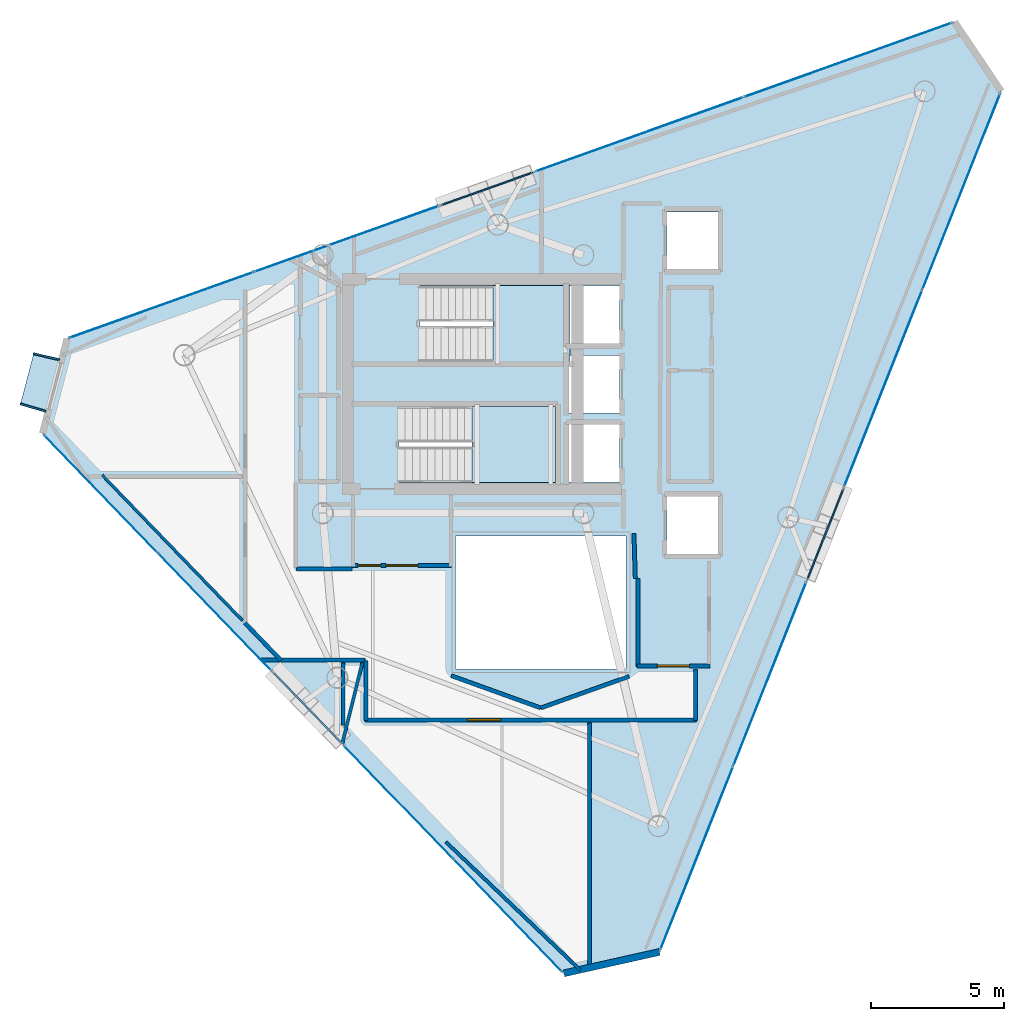
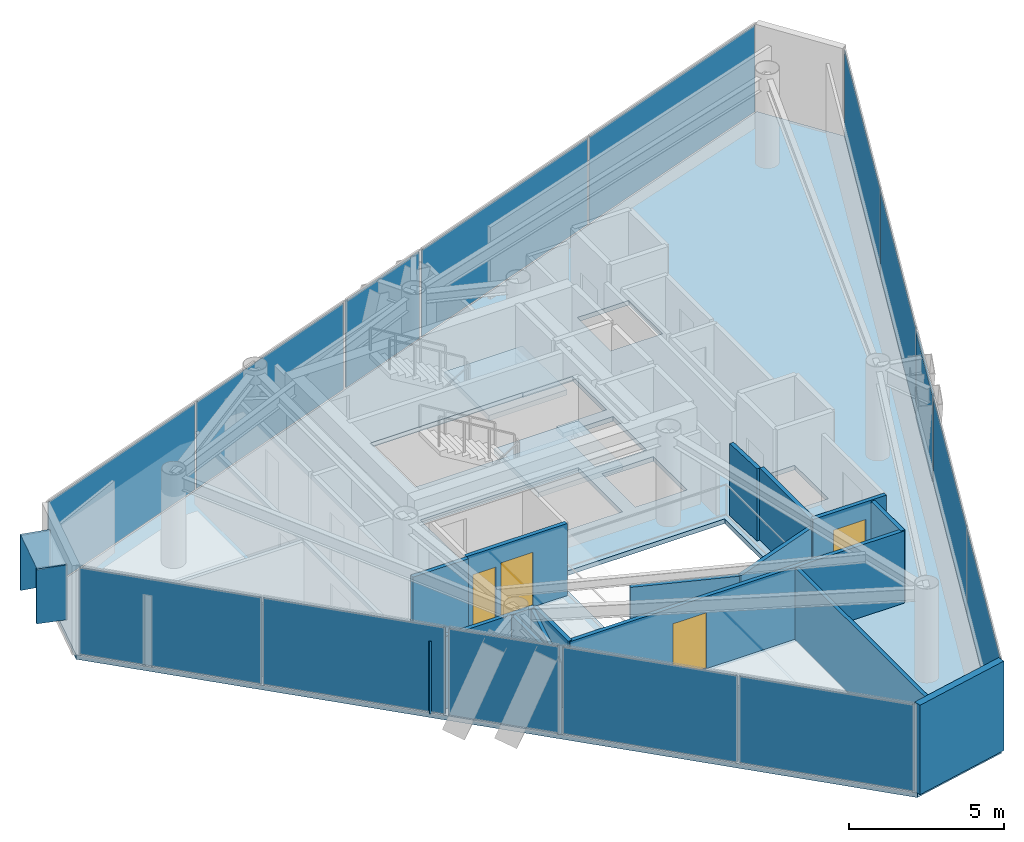
# One storey, part 15 of 18: 18 plates, 18 walls, 4 doors, 3 slabs, 4 openings, 11 elements without a shape of their own.
"""IFC4 building model written with IfcOpenShell, lengths in metres."""

from ifc_helpers import new_model, si_unit, direction, frame, frame_2d, origin, origin_2d, place, context, subcontext, project, spatial, polyline, rectangle, outline, extrude, material, layer, layer_set, type_object, element, fill, aggregate, save


model = new_model("IFC4")

# Units and contexts
model_context = context("Model", 3, precision=1e-05, world=origin(), true_north=direction((0.0, 1.0)))
body_context = subcontext(model_context, "Body", "Model", "MODEL_VIEW")
ifc_project = project(units=[si_unit("LENGTHUNIT", "METRE"), si_unit("AREAUNIT", "SQUARE_METRE"), si_unit("VOLUMEUNIT", "CUBIC_METRE"), si_unit("PLANEANGLEUNIT", "RADIAN"), si_unit("MASSUNIT", "GRAM", prefix="KILO")], contexts=[model_context])

# Site, building, storey
site_placement = place(None, origin())
site = spatial("IfcSite", under=ifc_project, at=site_placement, CompositionType="ELEMENT")
building_placement = place(site_placement, origin())
building = spatial("IfcBuilding", under=site, at=building_placement, Name="Qianvela Tower", CompositionType="ELEMENT")
storey_placement = place(building_placement, frame((0.0, 0.0, 337.0)))
storey = spatial("IfcBuildingStorey", under=building, at=storey_placement, Name="L87", CompositionType="ELEMENT", Elevation=337.0)

# Curtain wall, plate
ifc_material_1 = material(Name="Anodised Architectural Aluminium and Insulated Spandrel Panel", Category="aluminium")
ifc_layer_1 = layer(ifc_material_1, 0.179931640625)
ifc_layer_set_1 = layer_set([ifc_layer_1], Name="Anodised Architectural Aluminium and Insulated Spandrel Panel")
curtain_wall_type_1 = type_object("IfcCurtainWallType", Name="CW-BRACEBAY", PredefinedType="USERDEFINED", material=ifc_layer_set_1)
curtain_wall_1_placement = place(storey_placement, origin())
curtain_wall_1 = element("IfcCurtainWall", 1, at=curtain_wall_1_placement, inside=storey, type_object=curtain_wall_type_1, Name="L87 CW-BRACEBAY Curtain Wall 02B", ObjectType="CURTAIN_WALL_SYSTEM", PredefinedType="USERDEFINED")
ifc_material_2 = material(Name="Insulated Aluminium Spandrel Panel with Mineral-Wool Backpan", Category="aluminium")
ifc_layer_2 = layer(ifc_material_2, 0.06005859375)
ifc_layer_set_2 = layer_set([ifc_layer_2], Name="Insulated Aluminium Spandrel Panel with Mineral-Wool Backpan")
plate_type_1 = type_object("IfcPlateType", Name="CW-BRACEBAY-PNL", PredefinedType="CURTAIN_PANEL", material=ifc_layer_set_2)
plate_1_placement = place(storey_placement, frame((34.7734375, 36.041015625, 0.06494140625), z_axis=(0.0, 0.0, 1.0), x_axis=(-0.941783203537, -0.336220757147, 0.0)))
plate_1 = element("IfcPlate", 2, at=plate_1_placement, type_object=plate_type_1, Name="CW-9 panel 1.1", PredefinedType="CURTAIN_PANEL", context=body_context, shape_type="SweptSolid", body=[
    extrude(rectangle(XDim=3.64990234375, YDim=0.06005859375, at=origin_2d()), origin(), (0.0, 0.0, 1.0), 3.389892578125),
])
aggregate(curtain_wall_1, [plate_1])

curtain_wall_2_placement = place(storey_placement, origin())
curtain_wall_2 = element("IfcCurtainWall", 3, at=curtain_wall_2_placement, inside=storey, type_object=curtain_wall_type_1, Name="L87 CW-BRACEBAY Curtain Wall 04B", ObjectType="CURTAIN_WALL_SYSTEM", PredefinedType="USERDEFINED")
plate_2_placement = place(storey_placement, frame((28.04052734375, 16.52099609375, 0.06494140625), z_axis=(0.0, 0.0, 1.0), x_axis=(0.694662539234, -0.719335774576, 0.0)))
plate_2 = element("IfcPlate", 4, at=plate_2_placement, type_object=plate_type_1, Name="CW-9 panel 1.1", PredefinedType="CURTAIN_PANEL", context=body_context, shape_type="SweptSolid", body=[
    extrude(rectangle(XDim=3.699951171875, YDim=0.06005859375, at=origin_2d()), origin(), (0.0, 0.0, 1.0), 3.389892578125),
])
aggregate(curtain_wall_2, [plate_2])

curtain_wall_3_placement = place(storey_placement, origin())
curtain_wall_3 = element("IfcCurtainWall", 5, at=curtain_wall_3_placement, inside=storey, type_object=curtain_wall_type_1, Name="L87 CW-BRACEBAY Curtain Wall 06B", ObjectType="CURTAIN_WALL_SYSTEM", PredefinedType="USERDEFINED")
plate_3_placement = place(storey_placement, frame((47.49267578125, 23.058349609375, 0.06494140625), z_axis=(0.0, 0.0, 1.0), x_axis=(0.368891834708, 0.929472331103, 0.0)))
plate_3 = element("IfcPlate", 6, at=plate_3_placement, type_object=plate_type_1, Name="CW-9 panel 1.1", PredefinedType="CURTAIN_PANEL", context=body_context, shape_type="SweptSolid", body=[
    extrude(rectangle(XDim=3.659912109375, YDim=0.06005859375, at=origin_2d()), origin(), (0.0, 0.0, 1.0), 3.389892578125),
])
aggregate(curtain_wall_3, [plate_3])

# Curtain wall, plates
ifc_material_3 = material(Name="Anodised Architectural Aluminium and Low-E Glass", Category="aluminium")
ifc_layer_3 = layer(ifc_material_3, 0.14990234375)
ifc_layer_set_3 = layer_set([ifc_layer_3], Name="Anodised Architectural Aluminium and Low-E Glass")
curtain_wall_type_2 = type_object("IfcCurtainWallType", Name="CW-COLIV-Z78", PredefinedType="USERDEFINED", material=ifc_layer_set_3)
curtain_wall_4_placement = place(storey_placement, origin())
curtain_wall_4 = element("IfcCurtainWall", 7, at=curtain_wall_4_placement, inside=storey, type_object=curtain_wall_type_2, Name="L87 CW-COLIV-Z78 Curtain Wall 02A", ObjectType="CURTAIN_WALL_SYSTEM", PredefinedType="USERDEFINED")
ifc_material_4 = material(Name="Double-Silver Low-E Insulated Glass", Category="glass")
ifc_layer_4 = layer(ifc_material_4, 0.02587890625)
ifc_layer_set_4 = layer_set([ifc_layer_4], Name="Double-Silver Low-E Insulated Glass")
plate_type_2 = type_object("IfcPlateType", Name="CW-COLIV-Z78-PNL", PredefinedType="CURTAIN_PANEL", material=ifc_layer_set_4)
plate_4_placement = place(storey_placement, frame((48.34912109375, 40.8876953125, 0.06005859375), z_axis=(0.0, 0.0, 1.0), x_axis=(-0.941781416634, -0.336225762374, 0.0)))
plate_4 = element("IfcPlate", 8, at=plate_4_placement, type_object=plate_type_2, Name="CW-6 panel 1.1", PredefinedType="CURTAIN_PANEL", context=body_context, shape_type="SweptSolid", body=[
    extrude(rectangle(XDim=8.27001953125, YDim=0.02587890625, at=origin_2d()), origin(), (0.0, 0.0, 1.0), 3.39990234375),
])
plate_5_placement = place(storey_placement, frame((40.504150390625, 38.0869140625, 0.06005859375), z_axis=(0.0, 0.0, 1.0), x_axis=(-0.941781416634, -0.336225762374, 0.0)))
plate_5 = element("IfcPlate", 9, at=plate_5_placement, type_object=plate_type_2, Name="CW-6 panel 2.1", PredefinedType="CURTAIN_PANEL", context=body_context, shape_type="SweptSolid", body=[
    extrude(rectangle(XDim=8.27001953125, YDim=0.02587890625, at=origin_2d()), origin(), (0.0, 0.0, 1.0), 3.39990234375),
])
aggregate(curtain_wall_4, [plate_4, plate_5])

curtain_wall_5_placement = place(storey_placement, origin())
curtain_wall_5 = element("IfcCurtainWall", 10, at=curtain_wall_5_placement, inside=storey, type_object=curtain_wall_type_2, Name="L87 CW-COLIV-Z78 Curtain Wall 02C", ObjectType="CURTAIN_WALL_SYSTEM", PredefinedType="USERDEFINED")
plate_6_placement = place(storey_placement, frame((29.4921875, 34.155517578125, 0.06005859375), z_axis=(0.0, 0.0, 1.0), x_axis=(-0.941780093284, -0.336229469105, 0.0)))
plate_6 = element("IfcPlate", 11, at=plate_6_placement, type_object=plate_type_2, Name="CW-6 panel 1.1", PredefinedType="CURTAIN_PANEL", context=body_context, shape_type="SweptSolid", body=[
    extrude(rectangle(XDim=7.315673828125, YDim=0.02587890625, at=origin_2d()), origin(), (0.0, 0.0, 1.0), 3.39990234375),
])
plate_7_placement = place(storey_placement, frame((22.5458984375, 31.675537109375, 0.06005859375), z_axis=(0.0, 0.0, 1.0), x_axis=(-0.941780093284, -0.336229469105, 0.0)))
plate_7 = element("IfcPlate", 12, at=plate_7_placement, type_object=plate_type_2, Name="CW-6 panel 2.1", PredefinedType="CURTAIN_PANEL", context=body_context, shape_type="SweptSolid", body=[
    extrude(rectangle(XDim=7.315673828125, YDim=0.02587890625, at=origin_2d()), origin(), (0.0, 0.0, 1.0), 3.39990234375),
])
aggregate(curtain_wall_5, [plate_6, plate_7])

curtain_wall_6_placement = place(storey_placement, origin())
curtain_wall_6 = element("IfcCurtainWall", 13, at=curtain_wall_6_placement, inside=storey, type_object=curtain_wall_type_2, Name="L87 CW-COLIV-Z78 Curtain Wall 04A", ObjectType="CURTAIN_WALL_SYSTEM", PredefinedType="USERDEFINED")
plate_8_placement = place(storey_placement, frame((20.265625, 24.572265625, 0.06005859375), z_axis=(0.0, 0.0, 1.0), x_axis=(0.694658463415, -0.719339710572, 0.0)))
plate_8 = element("IfcPlate", 14, at=plate_8_placement, type_object=plate_type_2, Name="CW-6 panel 1.1", PredefinedType="CURTAIN_PANEL", context=body_context, shape_type="SweptSolid", body=[
    extrude(rectangle(XDim=6.10498046875, YDim=0.02587890625, at=origin_2d()), origin(), (0.0, 0.0, 1.0), 3.39990234375),
])
plate_9_placement = place(storey_placement, frame((24.548095703125, 20.137451171875, 0.06005859375), z_axis=(0.0, 0.0, 1.0), x_axis=(0.694658463415, -0.719339710572, 0.0)))
plate_9 = element("IfcPlate", 15, at=plate_9_placement, type_object=plate_type_2, Name="CW-6 panel 2.1", PredefinedType="CURTAIN_PANEL", context=body_context, shape_type="SweptSolid", body=[
    extrude(rectangle(XDim=6.10498046875, YDim=0.02587890625, at=origin_2d()), origin(), (0.0, 0.0, 1.0), 3.39990234375),
])
aggregate(curtain_wall_6, [plate_8, plate_9])

curtain_wall_7_placement = place(storey_placement, origin())
curtain_wall_7 = element("IfcCurtainWall", 16, at=curtain_wall_7_placement, inside=storey, type_object=curtain_wall_type_2, Name="L87 CW-COLIV-Z78 Curtain Wall 04C", ObjectType="CURTAIN_WALL_SYSTEM", PredefinedType="USERDEFINED")
plate_10_placement = place(storey_placement, frame((31.447021484375, 12.993408203125, 0.06005859375), z_axis=(0.0, 0.0, 1.0), x_axis=(0.69465752509, -0.719340616701, 0.0)))
plate_10 = element("IfcPlate", 17, at=plate_10_placement, type_object=plate_type_2, Name="CW-6 panel 1.1", PredefinedType="CURTAIN_PANEL", context=body_context, shape_type="SweptSolid", body=[
    extrude(rectangle(XDim=5.857421875, YDim=0.02587890625, at=origin_2d()), origin(), (0.0, 0.0, 1.0), 3.39990234375),
])
plate_11_placement = place(storey_placement, frame((35.5576171875, 8.73681640625, 0.06005859375), z_axis=(0.0, 0.0, 1.0), x_axis=(0.69465752509, -0.719340616701, 0.0)))
plate_11 = element("IfcPlate", 18, at=plate_11_placement, type_object=plate_type_2, Name="CW-6 panel 2.1", PredefinedType="CURTAIN_PANEL", context=body_context, shape_type="SweptSolid", body=[
    extrude(rectangle(XDim=5.857421875, YDim=0.02587890625, at=origin_2d()), origin(), (0.0, 0.0, 1.0), 3.39990234375),
])
aggregate(curtain_wall_7, [plate_10, plate_11])

curtain_wall_8_placement = place(storey_placement, origin())
curtain_wall_8 = element("IfcCurtainWall", 19, at=curtain_wall_8_placement, inside=storey, type_object=curtain_wall_type_2, Name="L87 CW-COLIV-Z78 Curtain Wall 06A", ObjectType="CURTAIN_WALL_SYSTEM", PredefinedType="USERDEFINED")
plate_12_placement = place(storey_placement, frame((42.662841796875, 10.88916015625, 0.06005859375), z_axis=(0.0, 0.0, 1.0), x_axis=(0.368890192146, 0.929472983006, 0.0)))
plate_12 = element("IfcPlate", 20, at=plate_12_placement, type_object=plate_type_2, Name="CW-6 panel 1.1", PredefinedType="CURTAIN_PANEL", context=body_context, shape_type="SweptSolid", body=[
    extrude(rectangle(XDim=7.385009765625, YDim=0.02587890625, at=origin_2d()), origin(), (0.0, 0.0, 1.0), 3.39990234375),
])
plate_13_placement = place(storey_placement, frame((45.409423828125, 17.80908203125, 0.06005859375), z_axis=(0.0, 0.0, 1.0), x_axis=(0.368890192146, 0.929472983006, 0.0)))
plate_13 = element("IfcPlate", 21, at=plate_13_placement, type_object=plate_type_2, Name="CW-6 panel 2.1", PredefinedType="CURTAIN_PANEL", context=body_context, shape_type="SweptSolid", body=[
    extrude(rectangle(XDim=7.385009765625, YDim=0.02587890625, at=origin_2d()), origin(), (0.0, 0.0, 1.0), 3.39990234375),
])
aggregate(curtain_wall_8, [plate_12, plate_13])

curtain_wall_9_placement = place(storey_placement, origin())
curtain_wall_9 = element("IfcCurtainWall", 22, at=curtain_wall_9_placement, inside=storey, type_object=curtain_wall_type_2, Name="L87 CW-COLIV-Z78 Curtain Wall 06C", ObjectType="CURTAIN_WALL_SYSTEM", PredefinedType="USERDEFINED")
plate_14_placement = place(storey_placement, frame((49.670166015625, 28.544921875, 0.06005859375), z_axis=(0.0, 0.0, 1.0), x_axis=(0.368888107717, 0.929473810274, 0.0)))
plate_14 = element("IfcPlate", 23, at=plate_14_placement, type_object=plate_type_2, Name="CW-6 panel 1.1", PredefinedType="CURTAIN_PANEL", context=body_context, shape_type="SweptSolid", body=[
    extrude(rectangle(XDim=7.895751953125, YDim=0.02587890625, at=origin_2d()), origin(), (0.0, 0.0, 1.0), 3.39990234375),
])
plate_15_placement = place(storey_placement, frame((52.60498046875, 35.939453125, 0.06005859375), z_axis=(0.0, 0.0, 1.0), x_axis=(0.368888107717, 0.929473810274, 0.0)))
plate_15 = element("IfcPlate", 24, at=plate_15_placement, type_object=plate_type_2, Name="CW-6 panel 2.1", PredefinedType="CURTAIN_PANEL", context=body_context, shape_type="SweptSolid", body=[
    extrude(rectangle(XDim=7.895751953125, YDim=0.02587890625, at=origin_2d()), origin(), (0.0, 0.0, 1.0), 3.39990234375),
])
aggregate(curtain_wall_9, [plate_14, plate_15])

# Slab
ifc_material_5 = material(Name="Concrete C40", Category="concrete")
ifc_layer_5 = layer(ifc_material_5, 0.179931640625)
ifc_layer_set_5 = layer_set([ifc_layer_5], Name="Concrete C40")
slab_type_1 = type_object("IfcSlabType", Name="SL-FLOOR-180", PredefinedType="FLOOR", material=ifc_layer_set_5)
slab_1_placement = place(storey_placement, frame((0.0, 0.0, -0.179931640625)))
element("IfcSlab", 25, at=slab_1_placement, inside=storey, type_object=slab_type_1, Name="L87 Composite Structural Floor Slab", PredefinedType="FLOOR", context=body_context, shape_type="SweptSolid", body=[
    extrude(outline(polyline([(54.101806640625, 39.711181640625), (52.34716796875, 42.31494140625), (18.997314453125, 30.40869140625), (18.06884765625, 26.84716796875), (37.66845703125, 6.551025390625), (41.26025390625, 7.354736328125), (54.101806640625, 39.711181640625)]), holes=[polyline([(40.0, 23.0), (33.60009765625, 23.0), (33.60009765625, 18.0), (40.0, 18.0), (40.0, 23.0)]), polyline([(43.4599609375, 24.47998046875), (41.5400390625, 24.47998046875), (41.5400390625, 22.320068359375), (43.4599609375, 22.320068359375), (43.4599609375, 24.47998046875)]), polyline([(39.760009765625, 27.179931640625), (37.840087890625, 27.179931640625), (37.840087890625, 25.02001953125), (39.760009765625, 25.02001953125), (39.760009765625, 27.179931640625)]), polyline([(37.35009765625, 27.860107421875), (31.469970703125, 27.860107421875), (31.469970703125, 25.0), (37.35009765625, 25.0), (37.35009765625, 27.860107421875)]), polyline([(39.760009765625, 27.6201171875), (39.760009765625, 29.780029296875), (37.89990234375, 29.780029296875), (37.89990234375, 30.219970703125), (39.760009765625, 30.219970703125), (39.760009765625, 32.3798828125), (37.89990234375, 32.3798828125), (37.89990234375, 32.39990234375), (32.25, 32.39990234375), (32.25, 29.5400390625), (37.840087890625, 29.5400390625), (37.840087890625, 27.6201171875), (39.760009765625, 27.6201171875)]), polyline([(43.4599609375, 35.179931640625), (41.5400390625, 35.179931640625), (41.5400390625, 33.02001953125), (43.4599609375, 33.02001953125), (43.4599609375, 35.179931640625)])]), origin(), (0.0, 0.0, 1.0), 0.179931640625),
])

# Stair, slab
ifc_material_6 = material(Name="Concrete C40", Category="concrete")
stair_type = type_object("IfcStairType", Name="ST-DOGLEG-1350-R168-N22", PredefinedType="HALF_TURN_STAIR", material=ifc_material_6)
stair_1_placement = place(storey_placement, origin())
stair_1 = element("IfcStair", 26, at=stair_1_placement, inside=storey, type_object=stair_type, Name="L87 Smoke-Proof Core Stair ST-1", PredefinedType="HALF_TURN_STAIR")
ifc_material_7 = material(Name="Concrete C40", Category="concrete")
ifc_layer_6 = layer(ifc_material_7, 0.199951171875)
ifc_layer_set_6 = layer_set([ifc_layer_6], Name="Concrete C40")
slab_type_2 = type_object("IfcSlabType", Name="SL-STAIR-LANDING-200", PredefinedType="LANDING", material=ifc_layer_set_6)
slab_2_placement = place(storey_placement, frame((0.0, 0.0, 1.64990234375)))
slab_2 = element("IfcSlab", 27, at=slab_2_placement, type_object=slab_type_2, Name="ST-1 landing 1", PredefinedType="LANDING", context=body_context, shape_type="SweptSolid", body=[
    extrude(outline(polyline([(35.0, 29.5400390625), (37.89990234375, 29.5400390625), (37.89990234375, 32.39990234375), (35.0, 32.39990234375), (35.0, 29.5400390625)])), origin(), (0.0, 0.0, 1.0), 0.2001953125),
])
aggregate(stair_1, [slab_2])

stair_2_placement = place(storey_placement, origin())
stair_2 = element("IfcStair", 28, at=stair_2_placement, inside=storey, type_object=stair_type, Name="L87 Smoke-Proof Core Stair ST-2", PredefinedType="HALF_TURN_STAIR")
slab_3_placement = place(storey_placement, frame((0.0, 0.0, 1.64990234375)))
slab_3 = element("IfcSlab", 29, at=slab_3_placement, type_object=slab_type_2, Name="ST-2 landing 1", PredefinedType="LANDING", context=body_context, shape_type="SweptSolid", body=[
    extrude(outline(polyline([(34.219970703125, 25.0), (37.35009765625, 25.0), (37.35009765625, 27.860107421875), (34.219970703125, 27.860107421875), (34.219970703125, 25.0)])), origin(), (0.0, 0.0, 1.0), 0.2001953125),
])
aggregate(stair_2, [slab_3])

# Plates
ifc_material_8 = material(Name="Vitrified Architectural Terracotta Panel", Category="masonry")
ifc_layer_7 = layer(ifc_material_8, 0.06494140625)
ifc_layer_set_7 = layer_set([ifc_layer_7], Name="Vitrified Architectural Terracotta Panel")
plate_type_3 = type_object("IfcPlateType", Name="TERRACOTTA-SUNSHADE-HOOD-FOLD-B", PredefinedType="USERDEFINED", material=ifc_layer_set_7)
plate_16_placement = place(storey_placement, frame((17.967041015625, 28.775390625, 2.9599609375), z_axis=(0.0, 0.0, 1.0), x_axis=(-0.25229060687, -0.967651512522, 0.0)))
element("IfcPlate", 30, at=plate_16_placement, inside=storey, type_object=plate_type_3, Name="L87 Terracotta Sunshade Hood FOLD-B", ObjectType="SUNSHADE", PredefinedType="USERDEFINED", context=body_context, shape_type="SweptSolid", body=[
    extrude(rectangle(XDim=2.0400390625, YDim=0.989990234375, at=origin_2d()), origin(), (0.0, 0.0, 1.0), 0.06005859375),
])
ifc_material_9 = material(Name="Vitrified Architectural Terracotta Side Fin Panel", Category="masonry")
ifc_layer_8 = layer(ifc_material_9, 0.070068359375)
ifc_layer_set_8 = layer_set([ifc_layer_8], Name="Vitrified Architectural Terracotta Side Fin Panel")
plate_type_4 = type_object("IfcPlateType", Name="TERRACOTTA-SUNSHADE-STRUT-FOLD-B", PredefinedType="USERDEFINED", material=ifc_layer_set_8)
for number, where, z_axis, x_axis, name in (
    (31, (18.216796875, 29.7333984375, 0.85009765625), (0.0, 0.0, 1.0), (-0.222622297721, -0.97490477102, 0.0), "L87 Terracotta Sunshade Side Fin HL FOLD-B"),
    (32, (17.71728515625, 27.8173828125, 0.85009765625), (0.0, 0.0, 1.0), (-0.281723574717, -0.959495610959, 0.0), "L87 Terracotta Sunshade Side Fin HR FOLD-B"),
):
    element("IfcPlate", number, at=place(storey_placement, frame(where, z_axis=z_axis, x_axis=x_axis)), inside=storey, type_object=plate_type_4, Name=name, ObjectType="SUNSHADE", PredefinedType="USERDEFINED", context=body_context, shape_type="SweptSolid", body=[
        extrude(rectangle(XDim=0.070068359375, YDim=1.010009765625, at=origin_2d()), origin(), (0.0, 0.0, 1.0), 2.159912109375),
    ])

# Wall
ifc_material_10 = material(Name="Terracotta Cladding on Concrete C40", Category="masonry")
ifc_layer_9 = layer(ifc_material_10, 0.260009765625)
ifc_layer_set_9 = layer_set([ifc_layer_9], Name="Terracotta Cladding on Concrete C40")
wall_type_1 = type_object("IfcWallType", Name="TERRACOTTA-WALL-260", PredefinedType="SOLIDWALL", material=ifc_layer_set_9)
wall_1_placement = place(storey_placement, frame((37.66845703125, 6.551025390625, 0.0), z_axis=(0.0, 0.0, 1.0), x_axis=(0.975867618007, 0.218362982496, 0.0)))
element("IfcWall", 33, at=wall_1_placement, inside=storey, type_object=wall_type_1, Name="L87 Terracotta Chamfer Facet Wall 5", PredefinedType="SOLIDWALL", context=body_context, shape_type="SweptSolid", body=[
    extrude(rectangle(XDim=3.6806640625, YDim=0.260009765625, at=frame_2d((1.84033203125, 0.0))), origin(), (0.0, 0.0, 1.0), 3.52001953125),
])

# Wall, openings, doors
ifc_material_11 = material(Name="Fire-Rated Acoustic Gypsum Board")
ifc_layer_10 = layer(ifc_material_11, 0.14990234375)
ifc_layer_set_10 = layer_set([ifc_layer_10], Name="Fire-Rated Acoustic Gypsum Board")
wall_type_2 = type_object("IfcWallType", Name="WT-CORR-150", PredefinedType="PARTITIONING", material=ifc_layer_set_10)
wall_2_placement = place(storey_placement, frame((33.449951171875, 21.881103515625, 0.0), z_axis=(0.0, 0.0, 1.0), x_axis=(-1.0, 0.0, 0.0)))
wall_2 = element("IfcWall", 34, at=wall_2_placement, inside=storey, type_object=wall_type_2, Name="L87 Partition 5", PredefinedType="PARTITIONING", context=body_context, shape_type="SweptSolid", body=[
    extrude(rectangle(XDim=3.75, YDim=0.14990234375, at=frame_2d((1.875, 0.0))), origin(), (0.0, 0.0, 1.0), 2.840087890625),
])
opening_1_placement = place(wall_2_placement, frame((1.27490234375, 0.0, 0.0)))
opening_1 = element("IfcOpeningElement", 35, at=opening_1_placement, cuts=wall_2, Name="Opening D-LB1", PredefinedType="OPENING", context=body_context, shape_type="SweptSolid", body=[
    extrude(rectangle(XDim=1.199951171875, YDim=2.14990234375, at=frame_2d((0.60009765625, 1.074951171875))), frame((0.0, 0.0849609375, 0.0), z_axis=(0.0, -1.0, 0.0), x_axis=(1.0, 0.0, 0.0)), (0.0, 0.0, 1.0), 0.169921875),
])
opening_2_placement = place(wall_2_placement, frame((2.659912109375, 0.0, 0.0)))
opening_2 = element("IfcOpeningElement", 36, at=opening_2_placement, cuts=wall_2, Name="Opening D-LB2", PredefinedType="OPENING", context=body_context, shape_type="SweptSolid", body=[
    extrude(rectangle(XDim=0.860107421875, YDim=2.050048828125, at=frame_2d((0.43017578125, 1.02490234375))), frame((0.0, 0.0849609375, 0.0), z_axis=(0.0, -1.0, 0.0), x_axis=(1.0, 0.0, 0.0)), (0.0, 0.0, 1.0), 0.169921875),
])
ifc_material_12 = material(Name="Glazed Fire-Rated Steel Frame", Category="steel")
door_type_1 = type_object("IfcDoorType", Name="DT-LOBBY-FD90", OperationType="NOTDEFINED", PredefinedType="DOOR", material=ifc_material_12)
door_1_placement = place(opening_1_placement, origin())
door_1 = element("IfcDoor", 37, at=door_1_placement, inside=storey, type_object=door_type_1, Name="L87 Door L87 Firefighting Lobby South to L87 Floor Corridor", OperationType="SINGLE_SWING_LEFT", OverallHeight=2.14990234375, OverallWidth=1.199951171875, PredefinedType="DOOR", context=body_context, shape_type="SweptSolid", body=[
    extrude(rectangle(XDim=1.199951171875, YDim=2.14990234375, at=frame_2d((0.60009765625, 1.074951171875))), frame((0.0, 0.02490234375, 0.0), z_axis=(0.0, -1.0, 0.0), x_axis=(1.0, 0.0, 0.0)), (0.0, 0.0, 1.0), 0.050048828125),
])
fill(opening_1, door_1)
ifc_material_13 = material(Name="Insulated Steel Fire Door Q355B", Category="steel")
door_type_2 = type_object("IfcDoorType", Name="DT-LOBBY-FD90-860", OperationType="NOTDEFINED", PredefinedType="DOOR", material=ifc_material_13)
door_2_placement = place(opening_2_placement, origin())
door_2 = element("IfcDoor", 38, at=door_2_placement, inside=storey, type_object=door_type_2, Name="L87 Door L87 Firefighting Lobby South to L87 Floor Corridor", OperationType="SINGLE_SWING_LEFT", OverallHeight=2.050048828125, OverallWidth=0.860107421875, PredefinedType="DOOR", context=body_context, shape_type="SweptSolid", body=[
    extrude(rectangle(XDim=0.860107421875, YDim=2.050048828125, at=frame_2d((0.43017578125, 1.02490234375))), frame((0.0, 0.02490234375, 0.0), z_axis=(0.0, -1.0, 0.0), x_axis=(1.0, 0.0, 0.0)), (0.0, 0.0, 1.0), 0.050048828125),
])
fill(opening_2, door_2)

# Wall
wall_3_placement = place(storey_placement, frame((40.35107421875, 21.40087890625, 0.0), z_axis=(0.0, 0.0, 1.0), x_axis=(-0.031058045979, 0.999517582527, 0.0)))
element("IfcWall", 39, at=wall_3_placement, inside=storey, type_object=wall_type_2, Name="L87 Partition 9", PredefinedType="PARTITIONING", context=body_context, shape_type="SweptSolid", body=[
    extrude(rectangle(XDim=1.68212890625, YDim=0.14990234375, at=frame_2d((0.841064453125, 0.0))), origin(), (0.0, 0.0, 1.0), 2.840087890625),
])

# Wall, opening, door
wall_4_placement = place(storey_placement, frame((43.14990234375, 18.111083984375, 0.0), z_axis=(0.0, 0.0, 1.0), x_axis=(-1.0, 0.0, 0.0)))
wall_4 = element("IfcWall", 40, at=wall_4_placement, inside=storey, type_object=wall_type_2, Name="L87 Partition 17", PredefinedType="PARTITIONING", context=body_context, shape_type="SweptSolid", body=[
    extrude(rectangle(XDim=2.72998046875, YDim=0.14990234375, at=frame_2d((1.364990234375, 0.0))), origin(), (0.0, 0.0, 1.0), 2.840087890625),
])
opening_3_placement = place(wall_4_placement, frame((0.764892578125, 0.0, 0.0)))
opening_3 = element("IfcOpeningElement", 41, at=opening_3_placement, cuts=wall_4, Name="Opening D-LB1", PredefinedType="OPENING", context=body_context, shape_type="SweptSolid", body=[
    extrude(rectangle(XDim=1.199951171875, YDim=2.14990234375, at=frame_2d((0.60009765625, 1.074951171875))), frame((0.0, 0.0849609375, 0.0), z_axis=(0.0, -1.0, 0.0), x_axis=(1.0, 0.0, 0.0)), (0.0, 0.0, 1.0), 0.169921875),
])
door_3_placement = place(opening_3_placement, origin())
door_3 = element("IfcDoor", 42, at=door_3_placement, inside=storey, type_object=door_type_1, Name="L87 Door L87 Lift Lobby to L87 Floor Corridor", OperationType="SINGLE_SWING_RIGHT", OverallHeight=2.14990234375, OverallWidth=1.199951171875, PredefinedType="DOOR", context=body_context, shape_type="SweptSolid", body=[
    extrude(rectangle(XDim=1.199951171875, YDim=2.14990234375, at=frame_2d((0.60009765625, 1.074951171875))), frame((0.0, 0.02490234375, 0.0), z_axis=(0.0, -1.0, 0.0), x_axis=(1.0, 0.0, 0.0)), (0.0, 0.0, 1.0), 0.050048828125),
])
fill(opening_3, door_3)

# Walls
wall_5_placement = place(storey_placement, frame((40.450927734375, 18.080078125, 0.0), z_axis=(0.0, 0.0, 1.0), x_axis=(0.0, 1.0, 0.0)))
element("IfcWall", 43, at=wall_5_placement, inside=storey, type_object=wall_type_2, Name="L87 Partition 18 seg 1", PredefinedType="PARTITIONING", context=body_context, shape_type="SweptSolid", body=[
    extrude(rectangle(XDim=3.31982421875, YDim=0.14990234375, at=frame_2d((1.659912109375, 0.0))), origin(), (0.0, 0.0, 1.0), 2.840087890625),
])
wall_6_placement = place(storey_placement, frame((27.6201171875, 21.7490234375, 0.0), z_axis=(0.0, 0.0, 1.0), x_axis=(1.0, 0.0, 0.0)))
element("IfcWall", 44, at=wall_6_placement, inside=storey, type_object=wall_type_2, Name="L87 Partition 49 seg 1", PredefinedType="PARTITIONING", context=body_context, shape_type="SweptSolid", body=[
    extrude(rectangle(XDim=2.079833984375, YDim=0.14990234375, at=frame_2d((1.0400390625, 0.0))), origin(), (0.0, 0.0, 1.0), 2.840087890625),
])
wall_7_placement = place(storey_placement, frame((33.433837890625, 17.738037109375, 0.0), z_axis=(0.0, 0.0, 1.0), x_axis=(0.940782662834, -0.339010296764, 0.0)))
element("IfcWall", 45, at=wall_7_placement, inside=storey, type_object=wall_type_2, Name="L87 Partition 50", PredefinedType="PARTITIONING", context=body_context, shape_type="SweptSolid", body=[
    extrude(rectangle(XDim=3.56689453125, YDim=0.14990234375, at=frame_2d((1.783447265625, 0.0))), origin(), (0.0, 0.0, 1.0), 2.840087890625),
])
wall_8_placement = place(storey_placement, frame((36.810302734375, 16.52880859375, 0.0), z_axis=(0.0, 0.0, 1.0), x_axis=(0.941548344365, 0.33687789364, 0.0)))
element("IfcWall", 46, at=wall_8_placement, inside=storey, type_object=wall_type_2, Name="L87 Partition 51", PredefinedType="PARTITIONING", context=body_context, shape_type="SweptSolid", body=[
    extrude(rectangle(XDim=3.5126953125, YDim=0.14990234375, at=frame_2d((1.75634765625, 0.0))), origin(), (0.0, 0.0, 1.0), 2.840087890625),
])
wall_9_placement = place(storey_placement, frame((42.618896484375, 17.97998046875, 0.0), z_axis=(0.0, 0.0, 1.0), x_axis=(0.0, -1.0, 0.0)))
element("IfcWall", 47, at=wall_9_placement, inside=storey, type_object=wall_type_2, Name="L87 Partition 53", PredefinedType="PARTITIONING", context=body_context, shape_type="SweptSolid", body=[
    extrude(rectangle(XDim=1.929931640625, YDim=0.14990234375, at=frame_2d((0.96484375, 0.0))), origin(), (0.0, 0.0, 1.0), 2.840087890625),
])

# Wall, opening, door
wall_10_placement = place(storey_placement, frame((42.64990234375, 16.0810546875, 0.0), z_axis=(0.0, 0.0, 1.0), x_axis=(-1.0, 0.0, 0.0)))
wall_10 = element("IfcWall", 48, at=wall_10_placement, inside=storey, type_object=wall_type_2, Name="L87 Partition 54", PredefinedType="PARTITIONING", context=body_context, shape_type="SweptSolid", body=[
    extrude(rectangle(XDim=12.449951171875, YDim=0.14990234375, at=frame_2d((6.22509765625, 0.0))), origin(), (0.0, 0.0, 1.0), 2.840087890625),
])
opening_4_placement = place(wall_10_placement, frame((7.365478515625, 0.0, 0.0)))
opening_4 = element("IfcOpeningElement", 49, at=opening_4_placement, cuts=wall_10, Name="Opening D-LG1", PredefinedType="OPENING", context=body_context, shape_type="SweptSolid", body=[
    extrude(rectangle(XDim=1.25, YDim=2.199951171875, at=frame_2d((0.625, 1.10009765625))), frame((0.0, 0.0849609375, 0.0), z_axis=(0.0, -1.0, 0.0), x_axis=(1.0, 0.0, 0.0)), (0.0, 0.0, 1.0), 0.169921875),
])
ifc_material_14 = material(Name="Anodised Aluminium Acoustic Glass Door", Category="aluminium")
door_type_3 = type_object("IfcDoorType", Name="DT-LOUNGE-1250", OperationType="NOTDEFINED", PredefinedType="DOOR", material=ifc_material_14)
door_4_placement = place(opening_4_placement, origin())
door_4 = element("IfcDoor", 50, at=door_4_placement, inside=storey, type_object=door_type_3, Name="L87 Door Debate Lecture Classroom L87-02 to L87 Floor Corridor", OperationType="SINGLE_SWING_LEFT", OverallHeight=2.199951171875, OverallWidth=1.25, PredefinedType="DOOR", context=body_context, shape_type="SweptSolid", body=[
    extrude(rectangle(XDim=1.25, YDim=2.199951171875, at=frame_2d((0.625, 1.10009765625))), frame((0.0, 0.02490234375, 0.0), z_axis=(0.0, -1.0, 0.0), x_axis=(1.0, 0.0, 0.0)), (0.0, 0.0, 1.0), 0.050048828125),
])
fill(opening_4, door_4)

# Walls
wall_11_placement = place(storey_placement, frame((30.23095703125, 16.050048828125, 0.0), z_axis=(0.0, 0.0, 1.0), x_axis=(0.0, 1.0, 0.0)))
element("IfcWall", 51, at=wall_11_placement, inside=storey, type_object=wall_type_2, Name="L87 Partition 55", PredefinedType="PARTITIONING", context=body_context, shape_type="SweptSolid", body=[
    extrude(rectangle(XDim=2.25, YDim=0.14990234375, at=frame_2d((1.125, 0.0))), origin(), (0.0, 0.0, 1.0), 2.840087890625),
])
wall_12_placement = place(storey_placement, frame((30.199951171875, 18.3310546875, 0.0), z_axis=(0.0, 0.0, 1.0), x_axis=(-1.0, 0.0, 0.0)))
element("IfcWall", 52, at=wall_12_placement, inside=storey, type_object=wall_type_2, Name="L87 Partition 56", PredefinedType="PARTITIONING", context=body_context, shape_type="SweptSolid", body=[
    extrude(rectangle(XDim=3.92724609375, YDim=0.14990234375, at=frame_2d((1.963623046875, 0.0))), origin(), (0.0, 0.0, 1.0), 2.840087890625),
])
wall_13_placement = place(storey_placement, frame((27.032958984375, 18.321533203125, 0.0), z_axis=(0.0, 0.0, 1.0), x_axis=(-0.69459673797, 0.719399313039, 0.0)))
element("IfcWall", 53, at=wall_13_placement, inside=storey, type_object=wall_type_2, Name="L87 Partition 57", PredefinedType="PARTITIONING", context=body_context, shape_type="SweptSolid", body=[
    extrude(rectangle(XDim=1.958740234375, YDim=0.14990234375, at=frame_2d((0.9794921875, 0.0))), origin(), (0.0, 0.0, 1.0), 2.840087890625),
])
ifc_material_15 = material(Name="Lightweight Gypsum Room Partition")
ifc_layer_11 = layer(ifc_material_15, 0.10498046875)
ifc_layer_set_11 = layer_set([ifc_layer_11], Name="Lightweight Gypsum Room Partition")
wall_type_3 = type_object("IfcWallType", Name="WT-PART-105", PredefinedType="PARTITIONING", material=ifc_layer_set_11)
wall_14_placement = place(storey_placement, frame((25.59228515625, 19.8134765625, 0.0), z_axis=(0.0, 0.0, 1.0), x_axis=(-0.694661596079, 0.71933668538, 0.0)))
element("IfcWall", 54, at=wall_14_placement, inside=storey, type_object=wall_type_3, Name="L87 Partition 64", PredefinedType="PARTITIONING", context=body_context, shape_type="SweptSolid", body=[
    extrude(rectangle(XDim=7.598876953125, YDim=0.10498046875, at=frame_2d((3.79931640625, 0.0))), origin(), (0.0, 0.0, 1.0), 2.840087890625),
])
ifc_material_16 = material(Name="Insulated Gypsum Stud Partition")
ifc_layer_12 = layer(ifc_material_16, 0.1201171875)
ifc_layer_set_12 = layer_set([ifc_layer_12], Name="Insulated Gypsum Stud Partition")
wall_type_4 = type_object("IfcWallType", Name="WT-PART-120", PredefinedType="PARTITIONING", material=ifc_layer_set_12)
wall_15_placement = place(storey_placement, frame((30.089111328125, 18.218994140625, 0.0), z_axis=(0.0, 0.0, 1.0), x_axis=(-0.240810448815, -0.970572165139, 0.0)))
element("IfcWall", 55, at=wall_15_placement, inside=storey, type_object=wall_type_4, Name="L87 Partition 66", PredefinedType="PARTITIONING", context=body_context, shape_type="SweptSolid", body=[
    extrude(rectangle(XDim=3.130615234375, YDim=0.1201171875, at=frame_2d((1.5654296875, 0.0))), origin(), (0.0, 0.0, 1.0), 2.840087890625),
])
wall_16_placement = place(storey_placement, frame((38.28369140625, 6.671142578125, 0.0), z_axis=(0.0, 0.0, 1.0), x_axis=(-0.723527675696, 0.690295373374, 0.0)))
element("IfcWall", 56, at=wall_16_placement, inside=storey, type_object=wall_type_4, Name="L87 Partition 69 seg 1", PredefinedType="PARTITIONING", context=body_context, shape_type="SweptSolid", body=[
    extrude(rectangle(XDim=6.986572265625, YDim=0.1201171875, at=frame_2d((3.4931640625, 0.0))), origin(), (0.0, 0.0, 1.0), 2.840087890625),
])
ifc_material_17 = material(Name="Acoustic Double Gypsum Stud Partition")
ifc_layer_13 = layer(ifc_material_17, 0.139892578125)
ifc_layer_set_13 = layer_set([ifc_layer_13], Name="Acoustic Double Gypsum Stud Partition")
wall_type_5 = type_object("IfcWallType", Name="WT-ROOM-140", PredefinedType="PARTITIONING", material=ifc_layer_set_13)
wall_17_placement = place(storey_placement, frame((29.373046875, 15.893798828125, 0.0), z_axis=(0.0, 0.0, 1.0), x_axis=(0.0, 1.0, 0.0)))
element("IfcWall", 57, at=wall_17_placement, inside=storey, type_object=wall_type_5, Name="L87 Partition 65", PredefinedType="PARTITIONING", context=body_context, shape_type="SweptSolid", body=[
    extrude(rectangle(XDim=2.326171875, YDim=0.139892578125, at=frame_2d((1.1630859375, 0.0))), origin(), (0.0, 0.0, 1.0), 2.840087890625),
])
wall_18_placement = place(storey_placement, frame((38.626953125, 15.969970703125, 0.0), z_axis=(0.0, 0.0, 1.0), x_axis=(0.0, -1.0, 0.0)))
element("IfcWall", 58, at=wall_18_placement, inside=storey, type_object=wall_type_5, Name="L87 Partition 68", PredefinedType="PARTITIONING", context=body_context, shape_type="SweptSolid", body=[
    extrude(rectangle(XDim=9.224365234375, YDim=0.139892578125, at=frame_2d((4.6123046875, 0.0))), origin(), (0.0, 0.0, 1.0), 2.840087890625),
])

save(model, "model.ifc")
